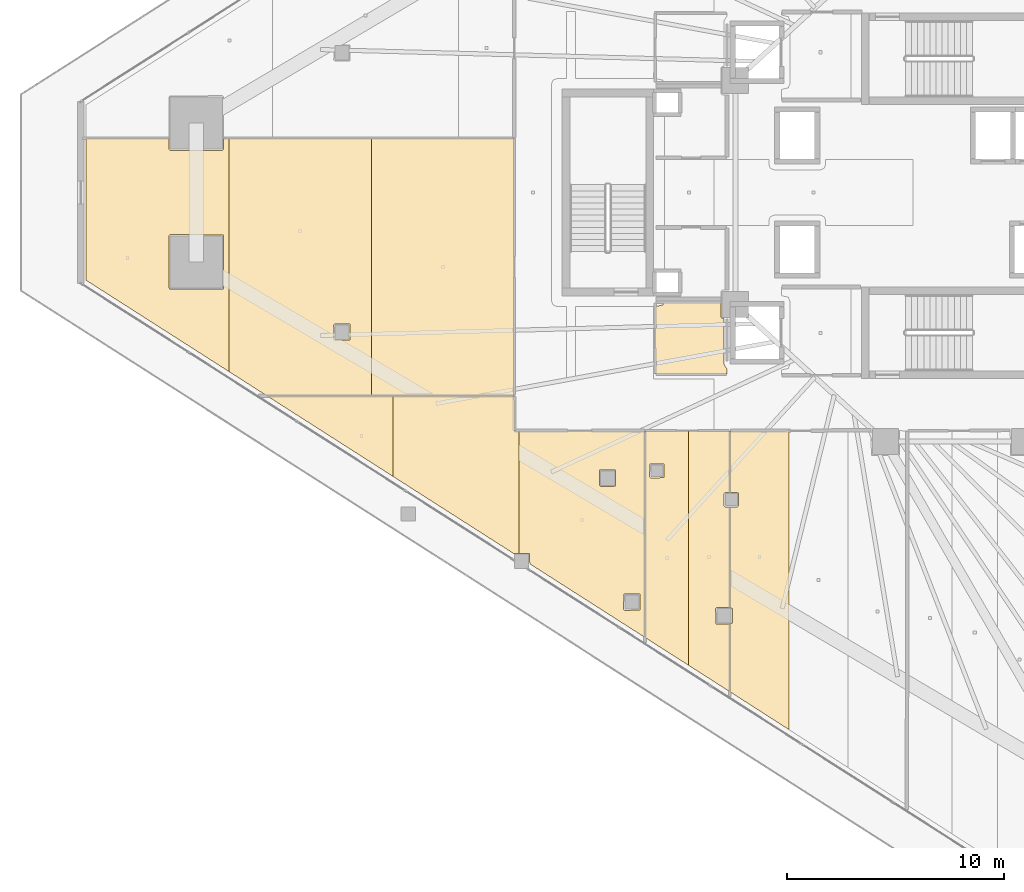
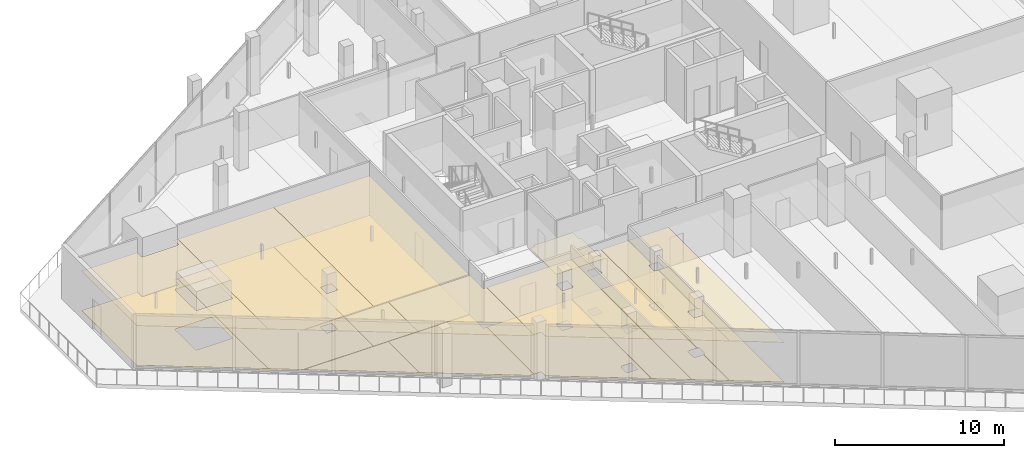
# One storey, part 36 of 44: 19 coverings.
"""IFC4 building model written with IfcOpenShell, lengths in metres."""

from ifc_helpers import new_model, si_unit, direction, frame, origin, place, context, subcontext, project, spatial, polyline, outline, extrude, material, layer, layer_set, type_object, element, save


model = new_model("IFC4")

# Units and contexts
model_context = context("Model", 3, precision=1e-05, world=origin(), true_north=direction((0.0, 1.0)))
body_context = subcontext(model_context, "Body", "Model", "MODEL_VIEW")
ifc_project = project(units=[si_unit("LENGTHUNIT", "METRE"), si_unit("AREAUNIT", "SQUARE_METRE"), si_unit("VOLUMEUNIT", "CUBIC_METRE"), si_unit("PLANEANGLEUNIT", "RADIAN"), si_unit("MASSUNIT", "GRAM", prefix="KILO")], contexts=[model_context])

# Site, building, storey
site_placement = place(None, origin())
site = spatial("IfcSite", under=ifc_project, at=site_placement, CompositionType="ELEMENT")
building_placement = place(site_placement, origin())
building = spatial("IfcBuilding", under=site, at=building_placement, Name="Qorvath Tower", CompositionType="ELEMENT")
storey_placement = place(building_placement, frame((0.0, 0.0, 53.39990234375)))
storey = spatial("IfcBuildingStorey", under=building, at=storey_placement, Name="L11", CompositionType="ELEMENT", Elevation=53.39990234375)

# Coverings
ifc_material_1 = material(Name="Acoustic mineral fibre ceiling tile", Category="gypsum")
ifc_layer_1 = layer(ifc_material_1, 0.030029296875)
ifc_layer_set_1 = layer_set([ifc_layer_1], Name="COV-CEIL")
covering_type_1 = type_object("IfcCoveringType", Name="COV-CEIL", PredefinedType="CEILING", material=ifc_layer_set_1)
covering_1_placement = place(storey_placement, frame((0.0, 0.0, 2.85009765625)))
element("IfcCovering", 1, at=covering_1_placement, inside=storey, type_object=covering_type_1, Name="L11 Suspended Acoustic Ceiling 024", PredefinedType="CEILING", context=body_context, shape_type="SweptSolid", body=[
    extrude(outline(polyline([(-32.63916015625, -21.74462890625), (-32.63916015625, -10.962890625), (-34.64501953125, -10.962890625), (-34.64501953125, -20.462646484375), (-32.63916015625, -21.74462890625)]), holes=[polyline([(-34.439208984375, -13.0673828125), (-34.421630859375, -12.47509765625), (-33.786865234375, -12.47509765625), (-33.786865234375, -13.10986328125), (-34.379150390625, -13.12744140625), (-34.439208984375, -13.0673828125)])]), origin(), (0.0, 0.0, 1.0), 0.030029296875),
])
covering_2_placement = place(storey_placement, frame((0.0, 0.0, 2.85009765625)))
element("IfcCovering", 2, at=covering_2_placement, inside=storey, type_object=covering_type_1, Name="L11 Suspended Acoustic Ceiling 025", PredefinedType="CEILING", context=body_context, shape_type="SweptSolid", body=[
    extrude(outline(polyline([(-31.341064453125, -19.075439453125), (-30.762451171875, -19.075439453125), (-30.762451171875, -14.459228515625), (-30.9521484375, -14.459228515625), (-31.01220703125, -14.3994140625), (-31.01220703125, -13.849365234375), (-30.9521484375, -13.789306640625), (-30.762451171875, -13.789306640625), (-30.762451171875, -10.962890625), (-32.63916015625, -10.962890625), (-32.63916015625, -21.74462890625), (-30.762451171875, -22.944091796875), (-30.762451171875, -19.845458984375), (-31.383544921875, -19.827880859375), (-31.401123046875, -19.135498046875), (-31.341064453125, -19.075439453125)])), origin(), (0.0, 0.0, 1.0), 0.030029296875),
])
covering_3_placement = place(storey_placement, frame((0.0, 0.0, 2.85009765625)))
element("IfcCovering", 3, at=covering_3_placement, inside=storey, type_object=covering_type_1, Name="L11 Suspended Acoustic Ceiling 026", PredefinedType="CEILING", context=body_context, shape_type="SweptSolid", body=[
    extrude(outline(polyline([(-28.028076171875, -24.69775390625), (-28.028076171875, -10.953369140625), (-30.744384765625, -10.962890625), (-30.744384765625, -13.789306640625), (-30.35986328125, -13.806884765625), (-30.34228515625, -14.3994140625), (-30.402099609375, -14.459228515625), (-30.744384765625, -14.459228515625), (-30.744384765625, -19.075439453125), (-30.631103515625, -19.135498046875), (-30.631103515625, -19.785400390625), (-30.744384765625, -19.845458984375), (-30.744384765625, -22.95556640625), (-28.028076171875, -24.69775390625)])), origin(), (0.0, 0.0, 1.0), 0.030029296875),
])
covering_4_placement = place(storey_placement, frame((0.0, 0.0, 2.85009765625)))
element("IfcCovering", 4, at=covering_4_placement, inside=storey, type_object=covering_type_1, Name="L11 Suspended Acoustic Ceiling 041", PredefinedType="CEILING", context=body_context, shape_type="SweptSolid", body=[
    extrude(outline(polyline([(-46.237548828125, -13.053466796875), (-46.237548828125, -9.354736328125), (-52.02490234375, -9.354736328125), (-46.237548828125, -13.053466796875)])), origin(), (0.0, 0.0, 1.0), 0.030029296875),
])
covering_5_placement = place(storey_placement, frame((0.0, 0.0, 2.85009765625)))
element("IfcCovering", 5, at=covering_5_placement, inside=storey, type_object=covering_type_1, Name="L11 Suspended Acoustic Ceiling 042", PredefinedType="CEILING", context=body_context, shape_type="SweptSolid", body=[
    extrude(outline(polyline([(-40.6630859375, -9.354736328125), (-46.237548828125, -9.354736328125), (-46.237548828125, -13.053466796875), (-40.701416015625, -16.591796875), (-40.4501953125, -16.590576171875), (-40.4501953125, -10.962890625), (-40.657958984375, -10.962890625), (-40.6630859375, -9.354736328125)])), origin(), (0.0, 0.0, 1.0), 0.030029296875),
])
covering_6_placement = place(storey_placement, frame((0.0, 0.0, 2.85009765625)))
element("IfcCovering", 6, at=covering_6_placement, inside=storey, type_object=covering_type_1, Name="L11 Suspended Acoustic Ceiling 043", PredefinedType="CEILING", context=body_context, shape_type="SweptSolid", body=[
    extrude(outline(polyline([(-40.4501953125, -10.962890625), (-40.4501953125, -16.590576171875), (-39.965087890625, -16.58837890625), (-39.947509765625, -17.07373046875), (-34.6630859375, -20.451171875), (-34.6630859375, -10.962890625), (-40.4501953125, -10.962890625)]), holes=[polyline([(-35.63671875, -19.154296875), (-35.619140625, -18.4619140625), (-34.88427734375, -18.4619140625), (-34.88427734375, -19.19677734375), (-35.57666015625, -19.21435546875), (-35.63671875, -19.154296875)]), polyline([(-36.749755859375, -13.46044921875), (-36.732177734375, -12.76806640625), (-35.997314453125, -12.76806640625), (-35.997314453125, -13.5029296875), (-36.689697265625, -13.5205078125), (-36.749755859375, -13.46044921875)])]), origin(), (0.0, 0.0, 1.0), 0.030029296875),
])
covering_7_placement = place(storey_placement, frame((0.0, 0.0, 2.85009765625)))
element("IfcCovering", 7, at=covering_7_placement, inside=storey, type_object=covering_type_1, Name="L11 Suspended Acoustic Ceiling 044", PredefinedType="CEILING", context=body_context, shape_type="SweptSolid", body=[
    extrude(outline(polyline([(-56.54296875, 2.494384765625), (-60.345947265625, 2.494384765625), (-60.345947265625, -4.036376953125), (-53.784912109375, -8.229736328125), (-53.784912109375, 2.494384765625), (-54.02294921875, 2.494384765625), (-54.02294921875, 1.994384765625), (-54.0830078125, 1.9345703125), (-56.48291015625, 1.9345703125), (-56.54296875, 1.994384765625), (-56.54296875, 2.494384765625)]), holes=[polyline([(-56.54296875, -1.994384765625), (-56.48291015625, -1.9345703125), (-54.04052734375, -1.9521484375), (-54.04052734375, -4.43701171875), (-56.525390625, -4.43701171875), (-56.54296875, -1.994384765625)])]), origin(), (0.0, 0.0, 1.0), 0.030029296875),
])
covering_8_placement = place(storey_placement, frame((0.0, 0.0, 2.85009765625)))
element("IfcCovering", 8, at=covering_8_placement, inside=storey, type_object=covering_type_1, Name="L11 Suspended Acoustic Ceiling 045", PredefinedType="CEILING", context=body_context, shape_type="SweptSolid", body=[
    extrude(outline(polyline([(-53.784912109375, 2.494384765625), (-53.784912109375, -8.229736328125), (-52.052978515625, -9.336669921875), (-47.22412109375, -9.336669921875), (-47.22412109375, 2.494384765625), (-53.784912109375, 2.494384765625)]), holes=[polyline([(-48.96337890625, -6.099609375), (-48.9033203125, -6.03955078125), (-48.2109375, -6.05712890625), (-48.2109375, -6.7919921875), (-48.94580078125, -6.7919921875), (-48.96337890625, -6.099609375)])]), origin(), (0.0, 0.0, 1.0), 0.030029296875),
])
covering_9_placement = place(storey_placement, frame((0.0, 0.0, 2.85009765625)))
element("IfcCovering", 9, at=covering_9_placement, inside=storey, type_object=covering_type_1, Name="L11 Suspended Acoustic Ceiling 046", PredefinedType="CEILING", context=body_context, shape_type="SweptSolid", body=[
    extrude(outline(polyline([(-47.22412109375, 2.494384765625), (-47.22412109375, -9.336669921875), (-40.6630859375, -9.336669921875), (-40.6630859375, 2.494384765625), (-47.22412109375, 2.494384765625)])), origin(), (0.0, 0.0, 1.0), 0.030029296875),
])
ifc_material_2 = material(Name="Low-VOC modular carpet tile", Category="textile")
ifc_layer_2 = layer(ifc_material_2, 0.014892578125)
ifc_layer_set_2 = layer_set([ifc_layer_2], Name="COV-FLOOR-CPT")
covering_type_2 = type_object("IfcCoveringType", Name="COV-FLOOR-CPT", PredefinedType="FLOORING", material=ifc_layer_set_2)
covering_10_placement = place(storey_placement, origin())
element("IfcCovering", 10, at=covering_10_placement, inside=storey, type_object=covering_type_2, Name="L11 Floor Finish 024", PredefinedType="FLOORING", context=body_context, shape_type="SweptSolid", body=[
    extrude(outline(polyline([(-32.63916015625, -21.74462890625), (-32.63916015625, -10.962890625), (-34.64501953125, -10.962890625), (-34.64501953125, -20.462646484375), (-32.63916015625, -21.74462890625)]), holes=[polyline([(-34.439208984375, -13.0673828125), (-34.421630859375, -12.47509765625), (-33.786865234375, -12.47509765625), (-33.786865234375, -13.10986328125), (-34.379150390625, -13.12744140625), (-34.439208984375, -13.0673828125)])]), origin(), (0.0, 0.0, 1.0), 0.01513671875),
])
covering_11_placement = place(storey_placement, origin())
element("IfcCovering", 11, at=covering_11_placement, inside=storey, type_object=covering_type_2, Name="L11 Floor Finish 025", PredefinedType="FLOORING", context=body_context, shape_type="SweptSolid", body=[
    extrude(outline(polyline([(-31.341064453125, -19.075439453125), (-30.762451171875, -19.075439453125), (-30.762451171875, -14.459228515625), (-30.9521484375, -14.459228515625), (-31.01220703125, -14.3994140625), (-31.01220703125, -13.849365234375), (-30.9521484375, -13.789306640625), (-30.762451171875, -13.789306640625), (-30.762451171875, -10.962890625), (-32.63916015625, -10.962890625), (-32.63916015625, -21.74462890625), (-30.762451171875, -22.944091796875), (-30.762451171875, -19.845458984375), (-31.383544921875, -19.827880859375), (-31.401123046875, -19.135498046875), (-31.341064453125, -19.075439453125)])), origin(), (0.0, 0.0, 1.0), 0.01513671875),
])
covering_12_placement = place(storey_placement, origin())
element("IfcCovering", 12, at=covering_12_placement, inside=storey, type_object=covering_type_2, Name="L11 Floor Finish 026", PredefinedType="FLOORING", context=body_context, shape_type="SweptSolid", body=[
    extrude(outline(polyline([(-28.028076171875, -24.69775390625), (-28.028076171875, -10.953369140625), (-30.744384765625, -10.962890625), (-30.744384765625, -13.789306640625), (-30.35986328125, -13.806884765625), (-30.34228515625, -14.3994140625), (-30.402099609375, -14.459228515625), (-30.744384765625, -14.459228515625), (-30.744384765625, -19.075439453125), (-30.631103515625, -19.135498046875), (-30.631103515625, -19.785400390625), (-30.744384765625, -19.845458984375), (-30.744384765625, -22.95556640625), (-28.028076171875, -24.69775390625)])), origin(), (0.0, 0.0, 1.0), 0.01513671875),
])
covering_13_placement = place(storey_placement, origin())
element("IfcCovering", 13, at=covering_13_placement, inside=storey, type_object=covering_type_2, Name="L11 Floor Finish 041", PredefinedType="FLOORING", context=body_context, shape_type="SweptSolid", body=[
    extrude(outline(polyline([(-46.237548828125, -13.053466796875), (-46.237548828125, -9.354736328125), (-52.02490234375, -9.354736328125), (-46.237548828125, -13.053466796875)])), origin(), (0.0, 0.0, 1.0), 0.01513671875),
])
covering_14_placement = place(storey_placement, origin())
element("IfcCovering", 14, at=covering_14_placement, inside=storey, type_object=covering_type_2, Name="L11 Floor Finish 042", PredefinedType="FLOORING", context=body_context, shape_type="SweptSolid", body=[
    extrude(outline(polyline([(-40.6630859375, -9.354736328125), (-46.237548828125, -9.354736328125), (-46.237548828125, -13.053466796875), (-40.701416015625, -16.591796875), (-40.4501953125, -16.590576171875), (-40.4501953125, -10.962890625), (-40.657958984375, -10.962890625), (-40.6630859375, -9.354736328125)])), origin(), (0.0, 0.0, 1.0), 0.01513671875),
])
covering_15_placement = place(storey_placement, origin())
element("IfcCovering", 15, at=covering_15_placement, inside=storey, type_object=covering_type_2, Name="L11 Floor Finish 043", PredefinedType="FLOORING", context=body_context, shape_type="SweptSolid", body=[
    extrude(outline(polyline([(-40.4501953125, -10.962890625), (-40.4501953125, -16.590576171875), (-39.965087890625, -16.58837890625), (-39.947509765625, -17.07373046875), (-34.6630859375, -20.451171875), (-34.6630859375, -10.962890625), (-40.4501953125, -10.962890625)]), holes=[polyline([(-35.63671875, -19.154296875), (-35.619140625, -18.4619140625), (-34.88427734375, -18.4619140625), (-34.88427734375, -19.19677734375), (-35.57666015625, -19.21435546875), (-35.63671875, -19.154296875)]), polyline([(-36.749755859375, -13.46044921875), (-36.732177734375, -12.76806640625), (-35.997314453125, -12.76806640625), (-35.997314453125, -13.5029296875), (-36.689697265625, -13.5205078125), (-36.749755859375, -13.46044921875)])]), origin(), (0.0, 0.0, 1.0), 0.01513671875),
])
covering_16_placement = place(storey_placement, origin())
element("IfcCovering", 16, at=covering_16_placement, inside=storey, type_object=covering_type_2, Name="L11 Floor Finish 044", PredefinedType="FLOORING", context=body_context, shape_type="SweptSolid", body=[
    extrude(outline(polyline([(-56.54296875, 2.494384765625), (-60.345947265625, 2.494384765625), (-60.345947265625, -4.036376953125), (-53.784912109375, -8.229736328125), (-53.784912109375, 2.494384765625), (-54.02294921875, 2.494384765625), (-54.02294921875, 1.994384765625), (-54.0830078125, 1.9345703125), (-56.48291015625, 1.9345703125), (-56.54296875, 1.994384765625), (-56.54296875, 2.494384765625)]), holes=[polyline([(-56.54296875, -1.994384765625), (-56.48291015625, -1.9345703125), (-54.04052734375, -1.9521484375), (-54.04052734375, -4.43701171875), (-56.525390625, -4.43701171875), (-56.54296875, -1.994384765625)])]), origin(), (0.0, 0.0, 1.0), 0.01513671875),
])
covering_17_placement = place(storey_placement, origin())
element("IfcCovering", 17, at=covering_17_placement, inside=storey, type_object=covering_type_2, Name="L11 Floor Finish 045", PredefinedType="FLOORING", context=body_context, shape_type="SweptSolid", body=[
    extrude(outline(polyline([(-53.784912109375, 2.494384765625), (-53.784912109375, -8.229736328125), (-52.052978515625, -9.336669921875), (-47.22412109375, -9.336669921875), (-47.22412109375, 2.494384765625), (-53.784912109375, 2.494384765625)]), holes=[polyline([(-48.96337890625, -6.099609375), (-48.9033203125, -6.03955078125), (-48.2109375, -6.05712890625), (-48.2109375, -6.7919921875), (-48.94580078125, -6.7919921875), (-48.96337890625, -6.099609375)])]), origin(), (0.0, 0.0, 1.0), 0.01513671875),
])
covering_18_placement = place(storey_placement, origin())
element("IfcCovering", 18, at=covering_18_placement, inside=storey, type_object=covering_type_2, Name="L11 Floor Finish 046", PredefinedType="FLOORING", context=body_context, shape_type="SweptSolid", body=[
    extrude(outline(polyline([(-47.22412109375, 2.494384765625), (-47.22412109375, -9.336669921875), (-40.6630859375, -9.336669921875), (-40.6630859375, 2.494384765625), (-47.22412109375, 2.494384765625)])), origin(), (0.0, 0.0, 1.0), 0.01513671875),
])
ifc_material_3 = material(Name="Polished epoxy terrazzo flooring", Category="concrete")
ifc_layer_3 = layer(ifc_material_3, 0.02001953125)
ifc_layer_set_3 = layer_set([ifc_layer_3], Name="COV-FLOOR-TRZ")
covering_type_3 = type_object("IfcCoveringType", Name="COV-FLOOR-TRZ", PredefinedType="FLOORING", material=ifc_layer_set_3)
covering_19_placement = place(storey_placement, origin())
element("IfcCovering", 19, at=covering_19_placement, inside=storey, type_object=covering_type_3, Name="L11 Floor Finish 005", PredefinedType="FLOORING", context=body_context, shape_type="SweptSolid", body=[
    extrude(outline(polyline([(-31.159912109375, -5.054931640625), (-33.786865234375, -5.054931640625), (-33.833251953125, -5.166748046875), (-34.175048828125, -5.239990234375), (-34.175048828125, -8.344970703125), (-30.885009765625, -8.344970703125), (-30.885009765625, -8.108154296875), (-31.010009765625, -7.909912109375), (-31.010009765625, -5.81005859375), (-31.159912109375, -5.75), (-31.159912109375, -5.054931640625)])), origin(), (0.0, 0.0, 1.0), 0.01513671875),
])

save(model, "model.ifc")
